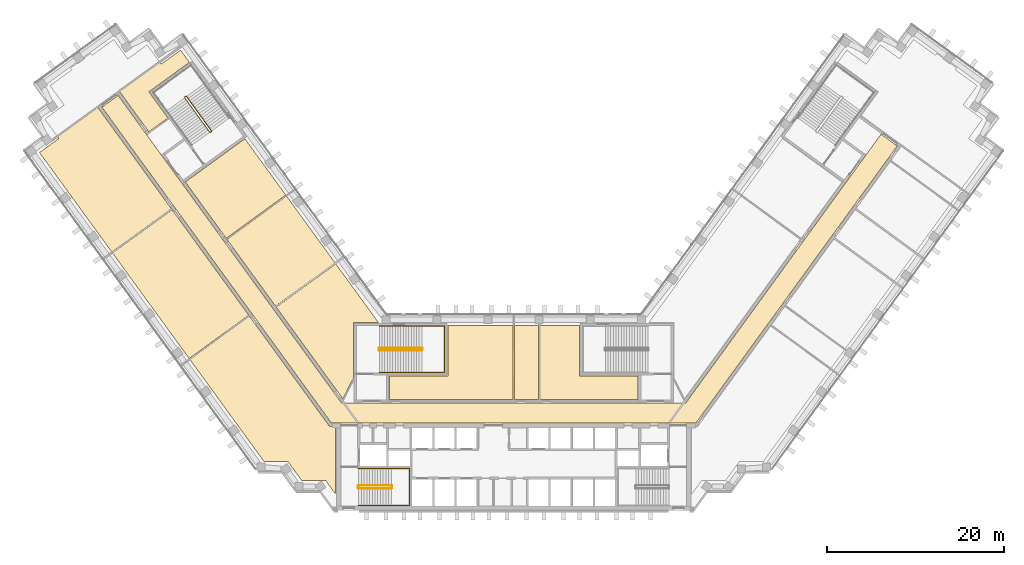
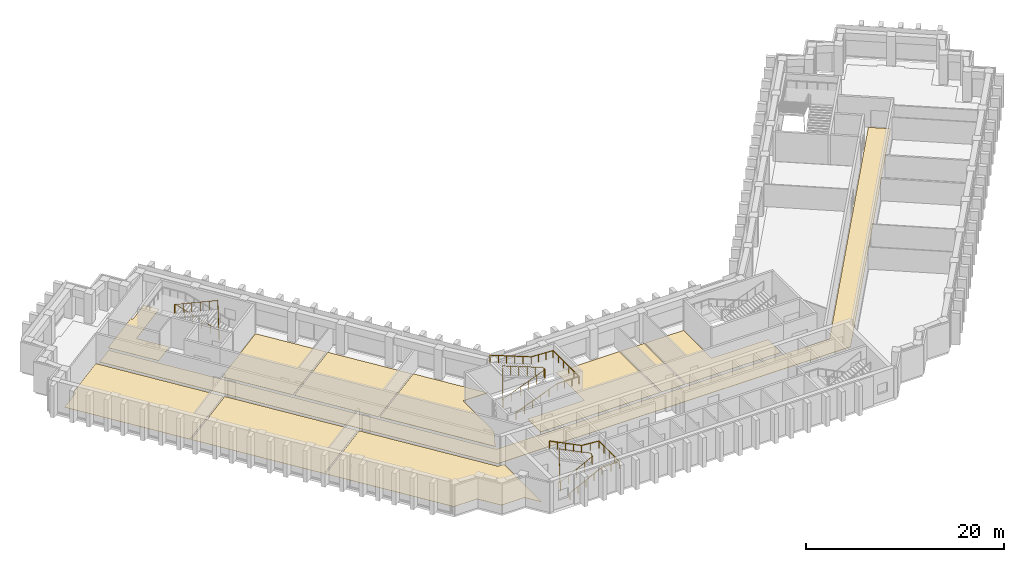
# One storey, part 13 of 15: 11 coverings, 5 railings.
"""IFC4 building model written with IfcOpenShell, lengths in metres."""

from ifc_helpers import new_model, si_unit, direction, frame, origin, origin_2d, place, context, subcontext, project, spatial, polyline, circle, outline, extrude, material, layer, layer_set, type_object, element, save


model = new_model("IFC4")

# Units and contexts
model_context = context("Model", 3, precision=1e-05, world=origin(), true_north=direction((0.0, 1.0)))
body_context = subcontext(model_context, "Body", "Model", "MODEL_VIEW")
ifc_project = project(units=[si_unit("LENGTHUNIT", "METRE"), si_unit("AREAUNIT", "SQUARE_METRE"), si_unit("VOLUMEUNIT", "CUBIC_METRE"), si_unit("PLANEANGLEUNIT", "RADIAN"), si_unit("MASSUNIT", "GRAM", prefix="KILO")], contexts=[model_context])

# Site, building, storey
site_placement = place(None, origin())
site = spatial("IfcSite", under=ifc_project, at=site_placement, CompositionType="ELEMENT")
building_placement = place(site_placement, origin())
building = spatial("IfcBuilding", under=site, at=building_placement, Name="Quipu Civic Tower", CompositionType="ELEMENT")
storey_placement = place(building_placement, frame((0.0, 0.0, 31.0)))
storey = spatial("IfcBuildingStorey", under=building, at=storey_placement, Name="L06", CompositionType="ELEMENT", Elevation=31.0)

# Coverings
ifc_material_1 = material(Name="Carpet tile on raised access floor")
ifc_layer_1 = layer(ifc_material_1, 0.02001953125)
ifc_layer_set_1 = layer_set([ifc_layer_1], Name="Carpet tile on raised access floor")
covering_type_1 = type_object("IfcCoveringType", Name="Carpet tile floor finish 20", PredefinedType="FLOORING", material=ifc_layer_set_1)
covering_1_placement = place(storey_placement, origin())
element("IfcCovering", 1, at=covering_1_placement, inside=storey, type_object=covering_type_1, Name="Carpet tile floor finish 20", PredefinedType="FLOORING", context=body_context, shape_type="SweptSolid", body=[
    extrude(outline(polyline([(-44.445068359375, 36.23193359375), (-39.906005859375, 39.530029296875), (-39.757080078125, 39.327880859375), (-37.573974609375, 40.9130859375), (-36.570068359375, 39.530029296875), (-41.139892578125, 36.208984375), (-38.998046875, 33.260009765625), (-41.15087890625, 31.697021484375), (-44.445068359375, 36.23193359375)])), origin(), (0.0, 0.0, 1.0), 0.02001953125),
])
covering_2_placement = place(storey_placement, origin())
element("IfcCovering", 2, at=covering_2_placement, inside=storey, type_object=covering_type_1, Name="Carpet tile floor finish 20", PredefinedType="FLOORING", context=body_context, shape_type="SweptSolid", body=[
    extrude(outline(polyline([(-32.339111328125, 19.570068359375), (-25.615966796875, 24.4541015625), (-20.14404296875, 16.9208984375), (-26.866943359375, 12.0380859375), (-32.339111328125, 19.570068359375)])), origin(), (0.0, 0.0, 1.0), 0.02001953125),
])
covering_3_placement = place(storey_placement, origin())
element("IfcCovering", 3, at=covering_3_placement, inside=storey, type_object=covering_type_1, Name="Carpet tile floor finish 20", PredefinedType="FLOORING", context=body_context, shape_type="SweptSolid", body=[
    extrude(outline(polyline([(-53.47998046875, 29.35791015625), (-51.298095703125, 30.943115234375), (-51.443115234375, 31.14599609375), (-46.904052734375, 34.444091796875), (-38.60791015625, 23.02490234375), (-45.3310546875, 18.14111328125), (-53.47998046875, 29.35791015625)])), origin(), (0.0, 0.0, 1.0), 0.02001953125),
])
covering_4_placement = place(storey_placement, origin())
element("IfcCovering", 4, at=covering_4_placement, inside=storey, type_object=covering_type_1, Name="Carpet tile floor finish 20", PredefinedType="FLOORING", context=body_context, shape_type="SweptSolid", body=[
    extrude(outline(polyline([(-36.52001953125, 6.013916015625), (-29.7958984375, 10.89794921875), (-20.77490234375, -1.51904296875), (-20.070068359375, -1.52001953125), (-20.070068359375, -9.195068359375), (-21.196044921875, -7.64599609375), (-21.6630859375, -7.64599609375), (-21.666015625, -7.64404296875), (-21.669921875, -7.64111328125), (-21.675048828125, -7.639892578125), (-21.679931640625, -7.637939453125), (-21.68408203125, -7.636962890625), (-21.68896484375, -7.636962890625), (-21.694091796875, -7.635986328125), (-21.698974609375, -7.636962890625), (-21.7041015625, -7.637939453125), (-21.708984375, -7.638916015625), (-21.712890625, -7.64111328125), (-21.718017578125, -7.64306640625), (-21.721923828125, -7.64599609375), (-21.721923828125, -7.64599609375), (-23.89501953125, -7.64599609375), (-25.48193359375, -5.4619140625), (-28.181884765625, -5.4609375), (-36.52001953125, 6.013916015625)])), origin(), (0.0, 0.0, 1.0), 0.02001953125),
])
covering_5_placement = place(storey_placement, origin())
element("IfcCovering", 5, at=covering_5_placement, inside=storey, type_object=covering_type_1, Name="Carpet tile floor finish 20", PredefinedType="FLOORING", context=body_context, shape_type="SweptSolid", body=[
    extrude(outline(polyline([(2.948974609375, 1.52001953125), (2.948974609375, 9.830078125), (7.429931640625, 9.830078125), (7.430908203125, 4.179931640625), (14.030029296875, 4.179931640625), (14.030029296875, 1.52001953125), (2.948974609375, 1.52001953125)])), origin(), (0.0, 0.0, 1.0), 0.02001953125),
])
covering_6_placement = place(storey_placement, origin())
element("IfcCovering", 6, at=covering_6_placement, inside=storey, type_object=covering_type_1, Name="Carpet tile floor finish 20", PredefinedType="FLOORING", context=body_context, shape_type="SweptSolid", body=[
    extrude(outline(polyline([(-45.248046875, 18.028076171875), (-38.52490234375, 22.912109375), (-29.87890625, 11.010986328125), (-36.60302734375, 6.126953125), (-45.248046875, 18.028076171875)])), origin(), (0.0, 0.0, 1.0), 0.02001953125),
])
ifc_material_2 = material(Name="Ceramic floor tile")
ifc_layer_2 = layer(ifc_material_2, 0.030029296875)
ifc_layer_set_2 = layer_set([ifc_layer_2], Name="Ceramic floor tile")
covering_type_2 = type_object("IfcCoveringType", Name="Ceramic tile floor finish 30", PredefinedType="FLOORING", material=ifc_layer_set_2)
covering_7_placement = place(storey_placement, origin())
element("IfcCovering", 7, at=covering_7_placement, inside=storey, type_object=covering_type_2, Name="Ceramic tile floor finish 30", PredefinedType="FLOORING", context=body_context, shape_type="SweptSolid", body=[
    extrude(outline(polyline([(0.070068359375, 9.830078125), (2.80908203125, 9.830078125), (2.80908203125, 1.52001953125), (0.070068359375, 1.52001953125), (0.070068359375, 9.830078125)])), origin(), (0.0, 0.0, 1.0), 0.030029296875),
])
covering_8_placement = place(storey_placement, origin())
element("IfcCovering", 8, at=covering_8_placement, inside=storey, type_object=covering_type_2, Name="Ceramic tile floor finish 30", PredefinedType="FLOORING", context=body_context, shape_type="SweptSolid", body=[
    extrude(outline(polyline([(-14.030029296875, 4.179931640625), (-7.430908203125, 4.179931640625), (-7.429931640625, 9.830078125), (-0.070068359375, 9.830078125), (-0.070068359375, 1.52001953125), (-14.030029296875, 1.52001953125), (-14.030029296875, 4.179931640625)])), origin(), (0.0, 0.0, 1.0), 0.030029296875),
])
covering_9_placement = place(storey_placement, origin())
element("IfcCovering", 9, at=covering_9_placement, inside=storey, type_object=covering_type_2, Name="Ceramic tile floor finish 30", PredefinedType="FLOORING", context=body_context, shape_type="SweptSolid", body=[
    extrude(outline(polyline([(-37.0380859375, 26.0380859375), (-30.31494140625, 30.922119140625), (-25.698974609375, 24.56689453125), (-32.422119140625, 19.68310546875), (-37.0380859375, 26.0380859375)])), origin(), (0.0, 0.0, 1.0), 0.030029296875),
])
ifc_material_3 = material(Name="Sealed cement screed")
ifc_layer_3 = layer(ifc_material_3, 0.050048828125)
ifc_layer_set_3 = layer_set([ifc_layer_3], Name="Sealed cement screed")
covering_type_3 = type_object("IfcCoveringType", Name="Sealed screed floor finish 50", PredefinedType="FLOORING", material=ifc_layer_set_3)
covering_10_placement = place(storey_placement, origin())
element("IfcCovering", 10, at=covering_10_placement, inside=storey, type_object=covering_type_3, Name="Sealed screed floor finish 50", PredefinedType="FLOORING", context=body_context, shape_type="SweptSolid", body=[
    extrude(outline(polyline([(-26.783935546875, 11.925048828125), (-20.06103515625, 16.80810546875), (-15.238037109375, 10.169921875), (-18.070068359375, 10.1689453125), (-18.070068359375, 3.94189453125), (-19.27197265625, 1.583984375), (-26.783935546875, 11.925048828125)])), origin(), (0.0, 0.0, 1.0), 0.050048828125),
])

# Railings
ifc_material_4 = material(Name="Stainless steel", Category="steel")
railing_type_1 = type_object("IfcRailingType", Name="Stair guard 1100", PredefinedType="GUARDRAIL", material=ifc_material_4)
railing_1_placement = place(storey_placement, frame((-17.5, -8.550048828125, 0.15380859375)))
element("IfcRailing", 11, at=railing_1_placement, inside=storey, type_object=railing_type_1, Name="Stair 1 guard", PredefinedType="GUARDRAIL", context=body_context, shape_type="SweptSolid", body=[
    extrude(circle(Radius=0.02392578125, at=origin_2d()), frame((0.0, 0.0, 1.076171875), z_axis=(0.895751851347, 0.0, 0.444554407028), x_axis=(0.0, 1.0, 0.0)), (0.0, 0.0, 1.0), 4.15283203125),
    extrude(circle(Radius=0.02392578125, at=origin_2d()), frame((3.719970703125, 0.0, 2.92236328125), z_axis=(0.707106781187, 0.707106781187, 0.0), x_axis=(-0.707106781187, 0.707106781187, 0.0)), (0.0, 0.0, 1.0), 0.07080078125),
    extrude(circle(Radius=0.02392578125, at=origin_2d()), frame((3.77001953125, 0.050048828125, 2.92236328125), z_axis=(0.0, 1.0, 0.0), x_axis=(-1.0, 0.0, 0.0)), (0.0, 0.0, 1.0), 0.25),
    extrude(circle(Radius=0.02392578125, at=origin_2d()), frame((3.77001953125, 0.300048828125, 2.92236328125), z_axis=(-0.295599637079, 0.295599637079, 0.908428152975), x_axis=(-0.707106781187, -0.707106781187, 0.0)), (0.0, 0.0, 1.0), 0.16943359375),
    extrude(circle(Radius=0.02392578125, at=origin_2d()), frame((3.719970703125, 0.35009765625, 3.076171875), z_axis=(-0.895751851347, 0.0, 0.444554407028), x_axis=(0.0, -1.0, 0.0)), (0.0, 0.0, 1.0), 4.15283203125),
    extrude(circle(Radius=0.02392578125, at=origin_2d()), frame((0.0, 0.35009765625, 4.92236328125), z_axis=(-0.012476181752, -0.074796231092, -0.997120789425), x_axis=(0.986372223864, -0.164529134168, 0.0)), (0.0, 0.0, 1.0), 4.011474609375),
    extrude(circle(Radius=0.02392578125, at=origin_2d()), frame((-0.050048828125, 0.050048828125, 0.92236328125), z_axis=(0.0, 1.0, 0.0), x_axis=(-1.0, 0.0, 0.0)), (0.0, 0.0, 1.0), 0.25),
    extrude(circle(Radius=0.02099609375, at=origin_2d()), origin(), (0.0, 0.0, 1.0), 1.052001953125),
    extrude(circle(Radius=0.02099609375, at=origin_2d()), frame((0.929931640625, 0.0, 0.46142578125)), (0.0, 0.0, 1.0), 1.052001953125),
    extrude(circle(Radius=0.02099609375, at=origin_2d()), frame((1.85986328125, 0.0, 0.923095703125)), (0.0, 0.0, 1.0), 1.052001953125),
    extrude(circle(Radius=0.02099609375, at=origin_2d()), frame((2.7900390625, 0.0, 1.384765625)), (0.0, 0.0, 1.0), 1.052001953125),
    extrude(circle(Radius=0.02099609375, at=origin_2d()), frame((3.719970703125, 0.0, 1.84619140625)), (0.0, 0.0, 1.0), 1.052001953125),
    extrude(circle(Radius=0.02099609375, at=origin_2d()), frame((3.77001953125, 0.050048828125, 1.84619140625)), (0.0, 0.0, 1.0), 1.052001953125),
    extrude(circle(Radius=0.02099609375, at=origin_2d()), frame((3.77001953125, 0.300048828125, 1.84619140625)), (0.0, 0.0, 1.0), 1.052001953125),
    extrude(circle(Radius=0.02099609375, at=origin_2d()), frame((3.719970703125, 0.35009765625, 2.0)), (0.0, 0.0, 1.0), 1.052001953125),
    extrude(circle(Radius=0.02099609375, at=origin_2d()), frame((2.7900390625, 0.35009765625, 2.46142578125)), (0.0, 0.0, 1.0), 1.052001953125),
    extrude(circle(Radius=0.02099609375, at=origin_2d()), frame((1.85986328125, 0.35009765625, 2.923095703125)), (0.0, 0.0, 1.0), 1.052001953125),
    extrude(circle(Radius=0.02099609375, at=origin_2d()), frame((0.929931640625, 0.35009765625, 3.384765625)), (0.0, 0.0, 1.0), 1.052001953125),
    extrude(circle(Radius=0.02099609375, at=origin_2d()), frame((0.0, 0.35009765625, 3.84619140625)), (0.0, 0.0, 1.0), 1.052001953125),
    extrude(circle(Radius=0.02099609375, at=origin_2d()), frame((-0.012451171875, 0.275146484375, 2.84619140625)), (0.0, 0.0, 1.0), 1.052001953125),
    extrude(circle(Radius=0.02099609375, at=origin_2d()), frame((-0.02490234375, 0.2001953125, 1.84619140625)), (0.0, 0.0, 1.0), 1.052001953125),
    extrude(circle(Radius=0.02099609375, at=origin_2d()), frame((-0.03759765625, 0.125, 0.84619140625)), (0.0, 0.0, 1.0), 1.052001953125),
    extrude(circle(Radius=0.02099609375, at=origin_2d()), frame((-0.050048828125, 0.050048828125, -0.15380859375)), (0.0, 0.0, 1.0), 1.052001953125),
    extrude(circle(Radius=0.02099609375, at=origin_2d()), frame((-0.050048828125, 0.300048828125, -0.15380859375)), (0.0, 0.0, 1.0), 1.052001953125),
])
railing_2_placement = place(storey_placement, frame((-15.14990234375, 7.050048828125, 0.11767578125)))
element("IfcRailing", 12, at=railing_2_placement, inside=storey, type_object=railing_type_1, Name="Stair 3 guard", PredefinedType="GUARDRAIL", context=body_context, shape_type="SweptSolid", body=[
    extrude(circle(Radius=0.02392578125, at=origin_2d()), frame((0.0, 0.0, 1.076171875), z_axis=(0.930970042603, 0.0, 0.365095576219), x_axis=(0.0, 1.0, 0.0)), (0.0, 0.0, 1.0), 5.15576171875),
    extrude(circle(Radius=0.02392578125, at=origin_2d()), frame((4.7998046875, 0.0, 2.95849609375), z_axis=(0.707106781187, 0.707106781187, 0.0), x_axis=(-0.707106781187, 0.707106781187, 0.0)), (0.0, 0.0, 1.0), 0.07080078125),
    extrude(circle(Radius=0.02392578125, at=origin_2d()), frame((4.849853515625, 0.050048828125, 2.95849609375), z_axis=(0.0, 1.0, 0.0), x_axis=(-1.0, 0.0, 0.0)), (0.0, 0.0, 1.0), 0.14990234375),
    extrude(circle(Radius=0.02392578125, at=origin_2d()), frame((4.849853515625, 0.199951171875, 2.95849609375), z_axis=(-0.364463019033, 0.364463019033, 0.856932561824), x_axis=(-0.707106781187, -0.707106781187, 0.0)), (0.0, 0.0, 1.0), 0.13720703125),
    extrude(circle(Radius=0.02392578125, at=origin_2d()), frame((4.7998046875, 0.25, 3.076171875), z_axis=(-0.930970042603, 0.0, 0.365095576219), x_axis=(0.0, -1.0, 0.0)), (0.0, 0.0, 1.0), 5.15576171875),
    extrude(circle(Radius=0.02392578125, at=origin_2d()), frame((0.0, 0.25, 4.95849609375), z_axis=(-0.012495627992, -0.049921557685, -0.998674970829), x_axis=(0.970072785993, -0.242814311512, 0.0)), (0.0, 0.0, 1.0), 4.00537109375),
    extrude(circle(Radius=0.02392578125, at=origin_2d()), frame((-0.050048828125, 0.050048828125, 0.95849609375), z_axis=(0.0, 1.0, 0.0), x_axis=(-1.0, 0.0, 0.0)), (0.0, 0.0, 1.0), 0.14990234375),
    extrude(circle(Radius=0.02099609375, at=origin_2d()), origin(), (0.0, 0.0, 1.0), 1.052001953125),
    extrude(circle(Radius=0.02099609375, at=origin_2d()), frame((0.9599609375, 0.0, 0.37646484375)), (0.0, 0.0, 1.0), 1.052001953125),
    extrude(circle(Radius=0.02099609375, at=origin_2d()), frame((1.919921875, 0.0, 0.7529296875)), (0.0, 0.0, 1.0), 1.052001953125),
    extrude(circle(Radius=0.02099609375, at=origin_2d()), frame((2.8798828125, 0.0, 1.12939453125)), (0.0, 0.0, 1.0), 1.052001953125),
    extrude(circle(Radius=0.02099609375, at=origin_2d()), frame((3.83984375, 0.0, 1.505859375)), (0.0, 0.0, 1.0), 1.052001953125),
    extrude(circle(Radius=0.02099609375, at=origin_2d()), frame((4.7998046875, 0.0, 1.88232421875)), (0.0, 0.0, 1.0), 1.052001953125),
    extrude(circle(Radius=0.02099609375, at=origin_2d()), frame((4.849853515625, 0.050048828125, 1.88232421875)), (0.0, 0.0, 1.0), 1.052001953125),
    extrude(circle(Radius=0.02099609375, at=origin_2d()), frame((4.849853515625, 0.199951171875, 1.88232421875)), (0.0, 0.0, 1.0), 1.052001953125),
    extrude(circle(Radius=0.02099609375, at=origin_2d()), frame((4.7998046875, 0.25, 2.0)), (0.0, 0.0, 1.0), 1.052001953125),
    extrude(circle(Radius=0.02099609375, at=origin_2d()), frame((3.83984375, 0.25, 2.37646484375)), (0.0, 0.0, 1.0), 1.052001953125),
    extrude(circle(Radius=0.02099609375, at=origin_2d()), frame((2.8798828125, 0.25, 2.7529296875)), (0.0, 0.0, 1.0), 1.052001953125),
    extrude(circle(Radius=0.02099609375, at=origin_2d()), frame((1.919921875, 0.25, 3.12939453125)), (0.0, 0.0, 1.0), 1.052001953125),
    extrude(circle(Radius=0.02099609375, at=origin_2d()), frame((0.9599609375, 0.25, 3.505859375)), (0.0, 0.0, 1.0), 1.052001953125),
    extrude(circle(Radius=0.02099609375, at=origin_2d()), frame((0.0, 0.25, 3.88232421875)), (0.0, 0.0, 1.0), 1.052001953125),
    extrude(circle(Radius=0.02099609375, at=origin_2d()), frame((-0.012451171875, 0.199951171875, 2.88232421875)), (0.0, 0.0, 1.0), 1.052001953125),
    extrude(circle(Radius=0.02099609375, at=origin_2d()), frame((-0.02490234375, 0.14990234375, 1.88232421875)), (0.0, 0.0, 1.0), 1.052001953125),
    extrude(circle(Radius=0.02099609375, at=origin_2d()), frame((-0.03759765625, 0.10009765625, 0.88232421875)), (0.0, 0.0, 1.0), 1.052001953125),
    extrude(circle(Radius=0.02099609375, at=origin_2d()), frame((-0.050048828125, 0.050048828125, -0.11767578125)), (0.0, 0.0, 1.0), 1.052001953125),
    extrude(circle(Radius=0.02099609375, at=origin_2d()), frame((-0.050048828125, 0.199951171875, -0.11767578125)), (0.0, 0.0, 1.0), 1.052001953125),
])
railing_3_placement = place(storey_placement, frame((-34.078857421875, 31.79736328125, 0.11767578125)))
element("IfcRailing", 13, at=railing_3_placement, inside=storey, type_object=railing_type_1, Name="Stair 6 guard", PredefinedType="GUARDRAIL", context=body_context, shape_type="SweptSolid", body=[
    extrude(circle(Radius=0.02392578125, at=origin_2d()), frame((0.0, 0.0, 1.076171875), z_axis=(-0.54720100349, 0.753182689643, 0.365084781664), x_axis=(-0.809026317077, -0.587772420479, 0.0)), (0.0, 0.0, 1.0), 5.15576171875),
    extrude(circle(Radius=0.02392578125, at=origin_2d()), frame((-2.8212890625, 3.88330078125, 2.95849609375), z_axis=(-0.987846838465, 0.155430446612, 0.0), x_axis=(-0.155430446612, -0.987846838465, 0.0)), (0.0, 0.0, 1.0), 0.07080078125),
    extrude(circle(Radius=0.02392578125, at=origin_2d()), frame((-2.89111328125, 3.894287109375, 2.95849609375), z_axis=(-0.809649071907, -0.586914287065, 0.0), x_axis=(0.586914287065, -0.809649071907, 0.0)), (0.0, 0.0, 1.0), 0.150146484375),
    extrude(circle(Radius=0.02392578125, at=origin_2d()), frame((-3.0126953125, 3.80615234375, 2.95849609375), z_axis=(-0.080033047627, -0.508654480474, 0.857242865693), x_axis=(0.987846838465, -0.155430446612, 0.0)), (0.0, 0.0, 1.0), 0.13720703125),
    extrude(circle(Radius=0.02392578125, at=origin_2d()), frame((-3.023681640625, 3.736328125, 3.076171875), z_axis=(0.54720100349, -0.753182689643, 0.365084781664), x_axis=(0.809026317077, 0.587772420479, 0.0)), (0.0, 0.0, 1.0), 5.15576171875),
    extrude(circle(Radius=0.02392578125, at=origin_2d()), frame((-0.202392578125, -0.14697265625, 4.95849609375), z_axis=(0.047788004556, 0.019261491632, -0.998671768681), x_axis=(-0.373837031195, 0.92749440651, 0.0)), (0.0, 0.0, 1.0), 4.00537109375),
    extrude(circle(Radius=0.02392578125, at=origin_2d()), frame((-0.010986328125, -0.06982421875, 0.95849609375), z_axis=(-0.809087927272, -0.587687609145, 0.0), x_axis=(0.587687609145, -0.809087927272, 0.0)), (0.0, 0.0, 1.0), 0.14990234375),
    extrude(circle(Radius=0.02099609375, at=origin_2d()), origin(), (0.0, 0.0, 1.0), 1.052001953125),
    extrude(circle(Radius=0.02099609375, at=origin_2d()), frame((-0.564208984375, 0.776611328125, 0.37646484375)), (0.0, 0.0, 1.0), 1.052001953125),
    extrude(circle(Radius=0.02099609375, at=origin_2d()), frame((-1.12841796875, 1.55322265625, 0.7529296875)), (0.0, 0.0, 1.0), 1.052001953125),
    extrude(circle(Radius=0.02099609375, at=origin_2d()), frame((-1.69287109375, 2.330078125, 1.12939453125)), (0.0, 0.0, 1.0), 1.052001953125),
    extrude(circle(Radius=0.02099609375, at=origin_2d()), frame((-2.257080078125, 3.106689453125, 1.505859375)), (0.0, 0.0, 1.0), 1.052001953125),
    extrude(circle(Radius=0.02099609375, at=origin_2d()), frame((-2.8212890625, 3.88330078125, 1.88232421875)), (0.0, 0.0, 1.0), 1.052001953125),
    extrude(circle(Radius=0.02099609375, at=origin_2d()), frame((-2.89111328125, 3.894287109375, 1.88232421875)), (0.0, 0.0, 1.0), 1.052001953125),
    extrude(circle(Radius=0.02099609375, at=origin_2d()), frame((-3.0126953125, 3.80615234375, 1.88232421875)), (0.0, 0.0, 1.0), 1.052001953125),
    extrude(circle(Radius=0.02099609375, at=origin_2d()), frame((-3.023681640625, 3.736328125, 2.0)), (0.0, 0.0, 1.0), 1.052001953125),
    extrude(circle(Radius=0.02099609375, at=origin_2d()), frame((-2.45947265625, 2.959716796875, 2.37646484375)), (0.0, 0.0, 1.0), 1.052001953125),
    extrude(circle(Radius=0.02099609375, at=origin_2d()), frame((-1.895263671875, 2.18310546875, 2.7529296875)), (0.0, 0.0, 1.0), 1.052001953125),
    extrude(circle(Radius=0.02099609375, at=origin_2d()), frame((-1.330810546875, 1.40625, 3.12939453125)), (0.0, 0.0, 1.0), 1.052001953125),
    extrude(circle(Radius=0.02099609375, at=origin_2d()), frame((-0.7666015625, 0.629638671875, 3.505859375)), (0.0, 0.0, 1.0), 1.052001953125),
    extrude(circle(Radius=0.02099609375, at=origin_2d()), frame((-0.202392578125, -0.14697265625, 3.88232421875)), (0.0, 0.0, 1.0), 1.052001953125),
    extrude(circle(Radius=0.02099609375, at=origin_2d()), frame((-0.154541015625, -0.127685546875, 2.88232421875)), (0.0, 0.0, 1.0), 1.052001953125),
    extrude(circle(Radius=0.02099609375, at=origin_2d()), frame((-0.106689453125, -0.1083984375, 1.88232421875)), (0.0, 0.0, 1.0), 1.052001953125),
    extrude(circle(Radius=0.02099609375, at=origin_2d()), frame((-0.058837890625, -0.089111328125, 0.88232421875)), (0.0, 0.0, 1.0), 1.052001953125),
    extrude(circle(Radius=0.02099609375, at=origin_2d()), frame((-0.010986328125, -0.06982421875, -0.11767578125)), (0.0, 0.0, 1.0), 1.052001953125),
    extrude(circle(Radius=0.02099609375, at=origin_2d()), frame((-0.13232421875, -0.157958984375, -0.11767578125)), (0.0, 0.0, 1.0), 1.052001953125),
])
ifc_material_5 = material(Name="Stainless steel", Category="steel")
railing_type_2 = type_object("IfcRailingType", Name="Stair handrail", PredefinedType="HANDRAIL", material=ifc_material_5)
railing_4_placement = place(storey_placement, frame((-17.5, -10.449951171875, 0.15380859375)))
element("IfcRailing", 14, at=railing_4_placement, inside=storey, type_object=railing_type_2, Name="Stair 1 handrail", PredefinedType="HANDRAIL", context=body_context, shape_type="SweptSolid", body=[
    extrude(circle(Radius=0.02392578125, at=origin_2d()), frame((0.0, 0.0, 0.8759765625), z_axis=(0.895751851347, 0.0, 0.444554407028), x_axis=(0.0, 1.0, 0.0)), (0.0, 0.0, 1.0), 4.15283203125),
    extrude(circle(Radius=0.02392578125, at=origin_2d()), frame((3.719970703125, 0.0, 2.72216796875), z_axis=(1.0, 0.0, 0.0), x_axis=(0.0, 1.0, 0.0)), (0.0, 0.0, 1.0), 2.030029296875),
    extrude(circle(Radius=0.02392578125, at=origin_2d()), frame((5.75, 0.0, 2.72216796875), z_axis=(0.0, 1.0, 0.0), x_axis=(-1.0, 0.0, 0.0)), (0.0, 0.0, 1.0), 4.14990234375),
    extrude(circle(Radius=0.02392578125, at=origin_2d()), frame((5.75, 4.14990234375, 2.72216796875), z_axis=(-0.997142003663, 0.0, 0.075550145798), x_axis=(0.0, -1.0, 0.0)), (0.0, 0.0, 1.0), 2.035888671875),
    extrude(circle(Radius=0.02392578125, at=origin_2d()), frame((3.719970703125, 4.14990234375, 2.8759765625), z_axis=(-0.895751851347, 0.0, 0.444554407028), x_axis=(0.0, -1.0, 0.0)), (0.0, 0.0, 1.0), 4.15283203125),
    extrude(circle(Radius=0.02099609375, at=origin_2d()), origin(), (0.0, 0.0, 1.0), 0.851806640625),
    extrude(circle(Radius=0.02099609375, at=origin_2d()), frame((0.929931640625, 0.0, 0.46142578125)), (0.0, 0.0, 1.0), 0.851806640625),
    extrude(circle(Radius=0.02099609375, at=origin_2d()), frame((1.85986328125, 0.0, 0.923095703125)), (0.0, 0.0, 1.0), 0.851806640625),
    extrude(circle(Radius=0.02099609375, at=origin_2d()), frame((2.7900390625, 0.0, 1.384765625)), (0.0, 0.0, 1.0), 0.851806640625),
    extrude(circle(Radius=0.02099609375, at=origin_2d()), frame((3.719970703125, 0.0, 1.84619140625)), (0.0, 0.0, 1.0), 0.851806640625),
    extrude(circle(Radius=0.02099609375, at=origin_2d()), frame((4.73486328125, 0.0, 1.84619140625)), (0.0, 0.0, 1.0), 0.851806640625),
    extrude(circle(Radius=0.02099609375, at=origin_2d()), frame((5.75, 0.0, 1.84619140625)), (0.0, 0.0, 1.0), 0.851806640625),
    extrude(circle(Radius=0.02099609375, at=origin_2d()), frame((5.75, 1.03759765625, 1.84619140625)), (0.0, 0.0, 1.0), 0.851806640625),
    extrude(circle(Radius=0.02099609375, at=origin_2d()), frame((5.75, 2.074951171875, 1.84619140625)), (0.0, 0.0, 1.0), 0.851806640625),
    extrude(circle(Radius=0.02099609375, at=origin_2d()), frame((5.75, 3.1123046875, 1.84619140625)), (0.0, 0.0, 1.0), 0.851806640625),
    extrude(circle(Radius=0.02099609375, at=origin_2d()), frame((5.75, 4.14990234375, 1.84619140625)), (0.0, 0.0, 1.0), 0.851806640625),
    extrude(circle(Radius=0.02099609375, at=origin_2d()), frame((4.73486328125, 4.14990234375, 1.923095703125)), (0.0, 0.0, 1.0), 0.851806640625),
    extrude(circle(Radius=0.02099609375, at=origin_2d()), frame((3.719970703125, 4.14990234375, 2.0)), (0.0, 0.0, 1.0), 0.851806640625),
    extrude(circle(Radius=0.02099609375, at=origin_2d()), frame((2.7900390625, 4.14990234375, 2.46142578125)), (0.0, 0.0, 1.0), 0.851806640625),
    extrude(circle(Radius=0.02099609375, at=origin_2d()), frame((1.85986328125, 4.14990234375, 2.923095703125)), (0.0, 0.0, 1.0), 0.851806640625),
    extrude(circle(Radius=0.02099609375, at=origin_2d()), frame((0.929931640625, 4.14990234375, 3.384765625)), (0.0, 0.0, 1.0), 0.851806640625),
    extrude(circle(Radius=0.02099609375, at=origin_2d()), frame((0.0, 4.14990234375, 3.84619140625)), (0.0, 0.0, 1.0), 0.851806640625),
])
railing_5_placement = place(storey_placement, frame((-15.14990234375, 4.550048828125, 0.11767578125)))
element("IfcRailing", 15, at=railing_5_placement, inside=storey, type_object=railing_type_2, Name="Stair 3 handrail", PredefinedType="HANDRAIL", context=body_context, shape_type="SweptSolid", body=[
    extrude(circle(Radius=0.02392578125, at=origin_2d()), frame((0.0, 0.0, 0.8759765625), z_axis=(0.930970042603, 0.0, 0.365095576219), x_axis=(0.0, 1.0, 0.0)), (0.0, 0.0, 1.0), 5.15576171875),
    extrude(circle(Radius=0.02392578125, at=origin_2d()), frame((4.7998046875, 0.0, 2.75830078125), z_axis=(1.0, 0.0, 0.0), x_axis=(0.0, 1.0, 0.0)), (0.0, 0.0, 1.0), 2.550048828125),
    extrude(circle(Radius=0.02392578125, at=origin_2d()), frame((7.349853515625, 0.0, 2.75830078125), z_axis=(0.0, 1.0, 0.0), x_axis=(-1.0, 0.0, 0.0)), (0.0, 0.0, 1.0), 5.25),
    extrude(circle(Radius=0.02392578125, at=origin_2d()), frame((7.349853515625, 5.25, 2.75830078125), z_axis=(-0.998936948642, 0.0, 0.04609742549), x_axis=(0.0, -1.0, 0.0)), (0.0, 0.0, 1.0), 2.552734375),
    extrude(circle(Radius=0.02392578125, at=origin_2d()), frame((4.7998046875, 5.25, 2.8759765625), z_axis=(-0.930970042603, 0.0, 0.365095576219), x_axis=(0.0, -1.0, 0.0)), (0.0, 0.0, 1.0), 5.15576171875),
    extrude(circle(Radius=0.02099609375, at=origin_2d()), origin(), (0.0, 0.0, 1.0), 0.851806640625),
    extrude(circle(Radius=0.02099609375, at=origin_2d()), frame((0.9599609375, 0.0, 0.37646484375)), (0.0, 0.0, 1.0), 0.851806640625),
    extrude(circle(Radius=0.02099609375, at=origin_2d()), frame((1.919921875, 0.0, 0.7529296875)), (0.0, 0.0, 1.0), 0.851806640625),
    extrude(circle(Radius=0.02099609375, at=origin_2d()), frame((2.8798828125, 0.0, 1.12939453125)), (0.0, 0.0, 1.0), 0.851806640625),
    extrude(circle(Radius=0.02099609375, at=origin_2d()), frame((3.83984375, 0.0, 1.505859375)), (0.0, 0.0, 1.0), 0.851806640625),
    extrude(circle(Radius=0.02099609375, at=origin_2d()), frame((4.7998046875, 0.0, 1.88232421875)), (0.0, 0.0, 1.0), 0.851806640625),
    extrude(circle(Radius=0.02099609375, at=origin_2d()), frame((5.64990234375, 0.0, 1.88232421875)), (0.0, 0.0, 1.0), 0.851806640625),
    extrude(circle(Radius=0.02099609375, at=origin_2d()), frame((6.499755859375, 0.0, 1.88232421875)), (0.0, 0.0, 1.0), 0.851806640625),
    extrude(circle(Radius=0.02099609375, at=origin_2d()), frame((7.349853515625, 0.0, 1.88232421875)), (0.0, 0.0, 1.0), 0.851806640625),
    extrude(circle(Radius=0.02099609375, at=origin_2d()), frame((7.349853515625, 1.050048828125, 1.88232421875)), (0.0, 0.0, 1.0), 0.851806640625),
    extrude(circle(Radius=0.02099609375, at=origin_2d()), frame((7.349853515625, 2.10009765625, 1.88232421875)), (0.0, 0.0, 1.0), 0.851806640625),
    extrude(circle(Radius=0.02099609375, at=origin_2d()), frame((7.349853515625, 3.14990234375, 1.88232421875)), (0.0, 0.0, 1.0), 0.851806640625),
    extrude(circle(Radius=0.02099609375, at=origin_2d()), frame((7.349853515625, 4.199951171875, 1.88232421875)), (0.0, 0.0, 1.0), 0.851806640625),
    extrude(circle(Radius=0.02099609375, at=origin_2d()), frame((7.349853515625, 5.25, 1.88232421875)), (0.0, 0.0, 1.0), 0.851806640625),
    extrude(circle(Radius=0.02099609375, at=origin_2d()), frame((6.499755859375, 5.25, 1.921630859375)), (0.0, 0.0, 1.0), 0.851806640625),
    extrude(circle(Radius=0.02099609375, at=origin_2d()), frame((5.64990234375, 5.25, 1.960693359375)), (0.0, 0.0, 1.0), 0.851806640625),
    extrude(circle(Radius=0.02099609375, at=origin_2d()), frame((4.7998046875, 5.25, 2.0)), (0.0, 0.0, 1.0), 0.851806640625),
    extrude(circle(Radius=0.02099609375, at=origin_2d()), frame((3.83984375, 5.25, 2.37646484375)), (0.0, 0.0, 1.0), 0.851806640625),
    extrude(circle(Radius=0.02099609375, at=origin_2d()), frame((2.8798828125, 5.25, 2.7529296875)), (0.0, 0.0, 1.0), 0.851806640625),
    extrude(circle(Radius=0.02099609375, at=origin_2d()), frame((1.919921875, 5.25, 3.12939453125)), (0.0, 0.0, 1.0), 0.851806640625),
    extrude(circle(Radius=0.02099609375, at=origin_2d()), frame((0.9599609375, 5.25, 3.505859375)), (0.0, 0.0, 1.0), 0.851806640625),
    extrude(circle(Radius=0.02099609375, at=origin_2d()), frame((0.0, 5.25, 3.88232421875)), (0.0, 0.0, 1.0), 0.851806640625),
])

# Covering
ifc_material_6 = material(Name="Terrazzo floor finish")
ifc_layer_4 = layer(ifc_material_6, 0.0400390625)
ifc_layer_set_4 = layer_set([ifc_layer_4], Name="Terrazzo floor finish")
covering_type_4 = type_object("IfcCoveringType", Name="Terrazzo floor finish 40", PredefinedType="FLOORING", material=ifc_layer_set_4)
covering_11_placement = place(storey_placement, origin())
element("IfcCovering", 16, at=covering_11_placement, inside=storey, type_object=covering_type_4, Name="Terrazzo floor finish 40", PredefinedType="FLOORING", context=body_context, shape_type="SweptSolid", body=[
    extrude(outline(polyline([(20.574951171875, -1.1298828125), (-20.574951171875, -1.1298828125), (-46.44091796875, 34.471923828125), (-44.613037109375, 35.800048828125), (-19.425048828125, 1.1298828125), (19.425048828125, 1.1298828125), (41.43896484375, 31.430908203125), (43.26708984375, 30.10302734375), (20.574951171875, -1.1298828125)])), origin(), (0.0, 0.0, 1.0), 0.0400390625),
])

save(model, "model.ifc")
